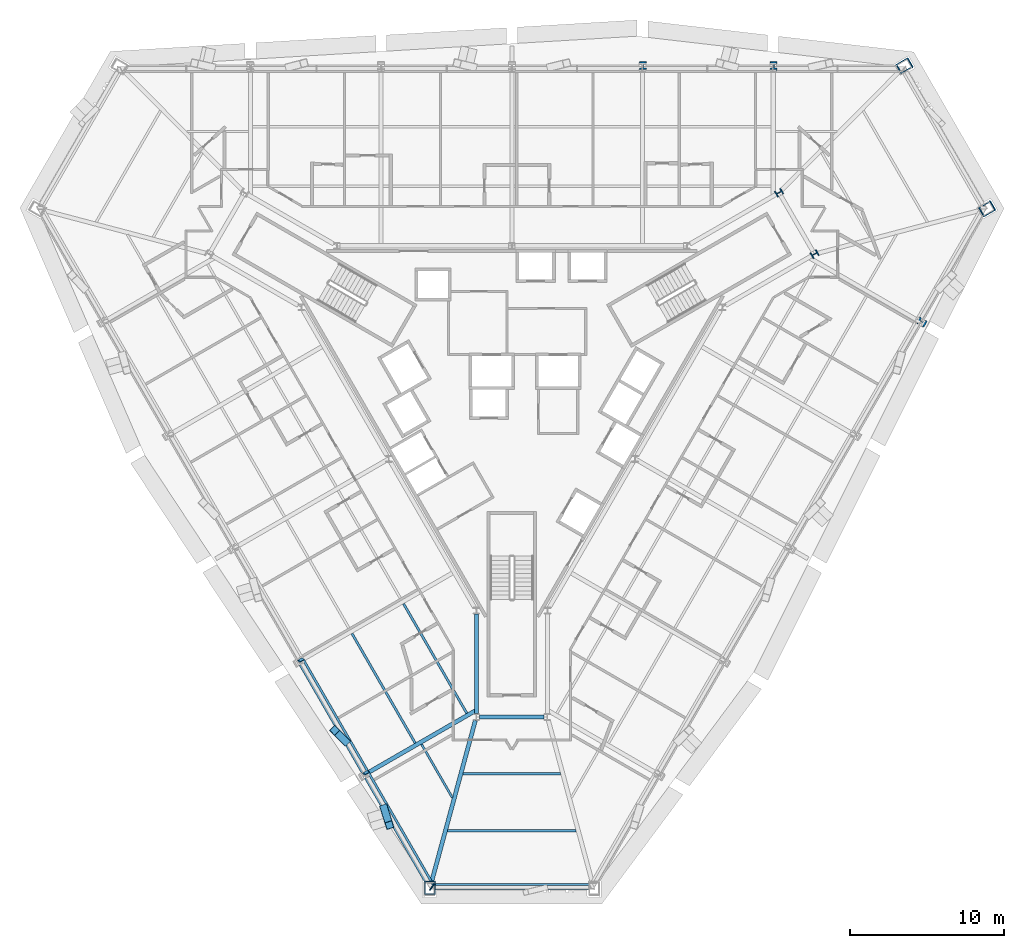
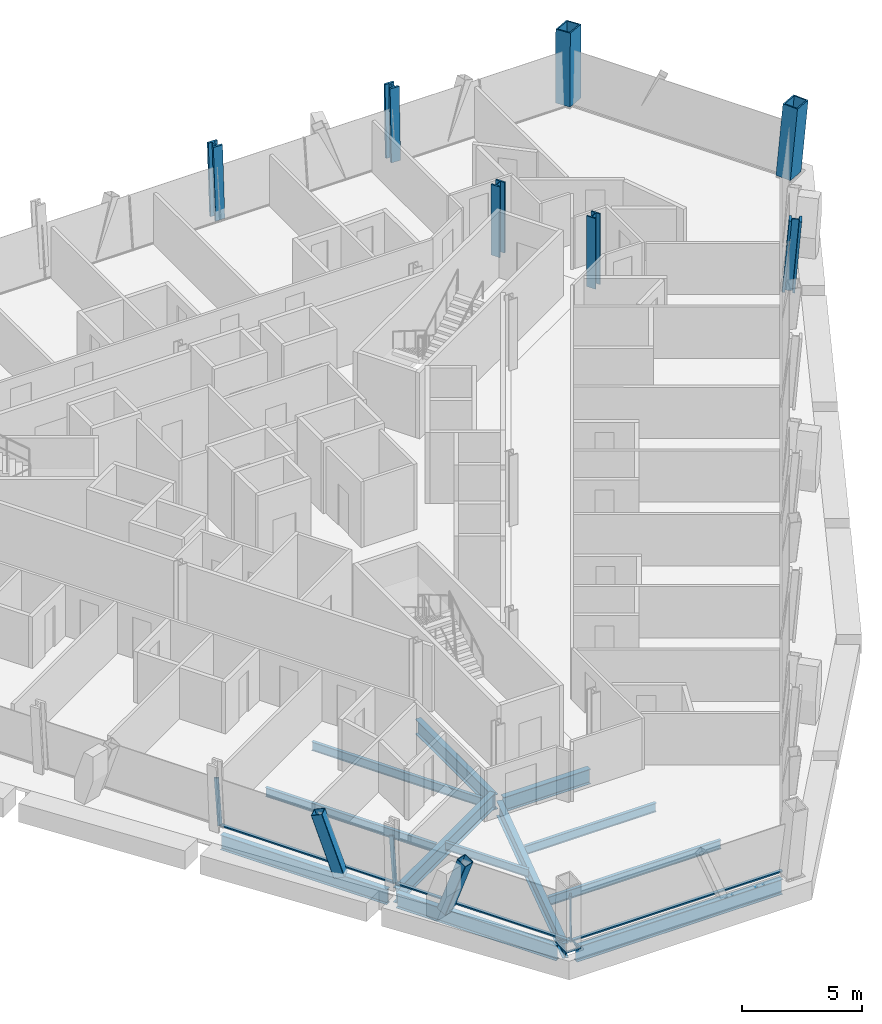
# One storey, part 2 of 15: 12 beams, 9 members, 7 columns, 2 elements without a shape of their own.
"""IFC4 building model written with IfcOpenShell, lengths in metres."""

from ifc_helpers import new_model, si_unit, direction, frame, origin, origin_2d, place, context, subcontext, project, spatial, rectangle, hollow_rectangle, i_section, extrude, material, material_profile, profile_set, type_object, element, aggregate, save


model = new_model("IFC4")

# Units and contexts
model_context = context("Model", 3, precision=1e-05, world=origin(), true_north=direction((0.0, 1.0)))
body_context = subcontext(model_context, "Body", "Model", "MODEL_VIEW")
ifc_project = project(units=[si_unit("LENGTHUNIT", "METRE"), si_unit("AREAUNIT", "SQUARE_METRE"), si_unit("VOLUMEUNIT", "CUBIC_METRE"), si_unit("PLANEANGLEUNIT", "RADIAN"), si_unit("MASSUNIT", "GRAM", prefix="KILO")], contexts=[model_context])

# Site, building, storey
site_placement = place(None, origin())
site = spatial("IfcSite", under=ifc_project, at=site_placement, CompositionType="ELEMENT")
building_placement = place(site_placement, origin())
building = spatial("IfcBuilding", under=site, at=building_placement, Name="Verrane Prism Tower", CompositionType="ELEMENT")
storey_placement = place(building_placement, frame((0.0, 0.0, 44.0)))
storey = spatial("IfcBuildingStorey", under=building, at=storey_placement, Name="L08", CompositionType="ELEMENT", Elevation=44.0)

# Columns
ifc_material_1 = material(Name="Steel A992", Category="steel")
ifc_material_profile_1 = material_profile(ifc_material_1, i_section(OverallWidth=0.419189453125, OverallDepth=0.45458984375, WebThickness=0.042236328125, FlangeThickness=0.067626953125, FilletRadius=0.01513671875, at=origin_2d()), Name="W14x370")
ifc_profile_set_1 = profile_set([ifc_material_profile_1], Name="Steel A992")
column_type_1 = type_object("IfcColumnType", Name="Core corner column W14x370", PredefinedType="COLUMN", material=ifc_profile_set_1)
for number, where, z_axis, x_axis, name in (
    (1, (19.60009765625, 8.659912109375, 0.0), (0.0, 0.0, 1.0), (0.5, -0.866025403784, 0.0), "Core corner column CK-NEm L08"),
    (2, (17.300048828125, 12.639892578125, 0.0), (0.0, 0.0, 1.0), (0.5, -0.866025403784, 0.0), "Core corner column CK-NEp L08"),
):
    element("IfcColumn", number, at=place(storey_placement, frame(where, z_axis=z_axis, x_axis=x_axis)), inside=storey, type_object=column_type_1, Name=name, PredefinedType="COLUMN", context=body_context, shape_type="SweptSolid", body=[
        extrude(i_section(OverallWidth=0.419189453125, OverallDepth=0.45458984375, WebThickness=0.042236328125, FlangeThickness=0.067626953125, FilletRadius=0.01513671875, at=origin_2d()), origin(), (0.0, 0.0, 1.0), 3.60009765625),
    ])
ifc_material_2 = material(Name="Steel A572 Grade 50", Category="steel")
ifc_material_profile_2 = material_profile(ifc_material_2, hollow_rectangle(XDim=0.699951171875, YDim=0.89990234375, WallThickness=0.06494140625, at=origin_2d()), Name="BOX 900x700x65")
ifc_profile_set_2 = profile_set([ifc_material_profile_2], Name="Steel A572 Grade 50")
column_type_2 = type_object("IfcColumnType", Name="Megacolumn BOX 900x700x65", PredefinedType="COLUMN", material=ifc_profile_set_2)
for number, where, z_axis, x_axis, name in (
    (3, (25.3720703125, 20.773193359375, 0.0400390625), (0.049772291919, 0.082976830634, 0.995307773774), (0.499550777014, -0.86500147592, 0.047132449981), "Megacolumn MC-NE.b L08"),
    (4, (30.673828125, 11.590087890625, 0.0400390625), (0.096783070485, 0.0, 0.995305499466), (0.49940885804, -0.865004332753, -0.048562298444), "Megacolumn MC-NE.a L08"),
):
    element("IfcColumn", number, at=place(storey_placement, frame(where, z_axis=z_axis, x_axis=x_axis)), inside=storey, type_object=column_type_2, Name=name, PredefinedType="COLUMN", context=body_context, shape_type="SweptSolid", body=[
        extrude(hollow_rectangle(XDim=0.699951171875, YDim=0.89990234375, WallThickness=0.06494140625, at=origin_2d()), origin(), (0.0, 0.0, 1.0), 3.53662109375),
    ])
ifc_material_3 = material(Name="Steel A992", Category="steel")
ifc_material_profile_3 = material_profile(ifc_material_3, i_section(OverallWidth=0.44189453125, OverallDepth=0.53076171875, WebThickness=0.06591796875, FlangeThickness=0.105712890625, FilletRadius=0.01513671875, at=origin_2d()), Name="W14x605")
ifc_profile_set_3 = profile_set([ifc_material_profile_3], Name="Steel A992")
column_type_3 = type_object("IfcColumnType", Name="Perimeter column W14x605", PredefinedType="COLUMN", material=ifc_profile_set_3)
column_1_placement = place(storey_placement, frame((16.9208984375, 20.772216796875, 0.02490234375), z_axis=(0.030414930255, 0.08295603725, 0.996088965857), x_axis=(0.999534085213, 2.6317342e-05, -0.030522316494)))
element("IfcColumn", 5, at=column_1_placement, inside=storey, type_object=column_type_3, Name="Perimeter column PC-N1 L08", PredefinedType="COLUMN", context=body_context, shape_type="SweptSolid", body=[
    extrude(i_section(OverallWidth=0.44189453125, OverallDepth=0.53076171875, WebThickness=0.06591796875, FlangeThickness=0.105712890625, FilletRadius=0.01513671875, at=origin_2d()), origin(), (0.0, 0.0, 1.0), 3.56396484375),
])
column_2_placement = place(storey_placement, frame((8.46044921875, 20.772216796875, 0.02490234375), z_axis=(0.016582899458, 0.082983021668, 0.996412979422), x_axis=(0.999861307838, 0.000158913268, -0.016653523173)))
element("IfcColumn", 6, at=column_2_placement, inside=storey, type_object=column_type_3, Name="Perimeter column PC-N2 L08", PredefinedType="COLUMN", context=body_context, shape_type="SweptSolid", body=[
    extrude(i_section(OverallWidth=0.44189453125, OverallDepth=0.53076171875, WebThickness=0.06591796875, FlangeThickness=0.105712890625, FilletRadius=0.01513671875, at=origin_2d()), origin(), (0.0, 0.0, 1.0), 3.562744140625),
])
column_3_placement = place(storey_placement, frame((26.4521484375, 4.269775390625, 0.02490234375), z_axis=(0.085775681498, -0.013907718326, 0.996217399885), x_axis=(-0.500475890564, -0.865194817097, 0.031013084871)))
element("IfcColumn", 7, at=column_3_placement, inside=storey, type_object=column_type_3, Name="Perimeter column PC-SE5 L08", PredefinedType="COLUMN", context=body_context, shape_type="SweptSolid", body=[
    extrude(i_section(OverallWidth=0.44189453125, OverallDepth=0.53076171875, WebThickness=0.06591796875, FlangeThickness=0.105712890625, FilletRadius=0.01513671875, at=origin_2d()), origin(), (0.0, 0.0, 1.0), 3.5634765625),
])

# Beams
ifc_material_4 = material(Name="Steel A992", Category="steel")
ifc_material_profile_4 = material_profile(ifc_material_4, i_section(OverallWidth=0.2666015625, OverallDepth=0.76708984375, WebThickness=0.014892578125, FlangeThickness=0.023681640625, FilletRadius=0.0166015625, at=origin_2d()), Name="W30x124")
ifc_profile_set_4 = profile_set([ifc_material_profile_4], Name="Steel A992")
beam_type_1 = type_object("IfcBeamType", Name="Chamfer spandrel beam W30x124", PredefinedType="SPANDREL", material=ifc_profile_set_4)
beam_1_placement = place(storey_placement, frame((-4.949951171875, -32.360107421875, -0.54345703125), z_axis=(1.0, 0.0, 0.0), x_axis=(0.0, 1.0, 0.0)))
element("IfcBeam", 8, at=beam_1_placement, inside=storey, type_object=beam_type_1, Name="Chamfer spandrel beam L08", PredefinedType="SPANDREL", context=body_context, shape_type="SweptSolid", body=[
    extrude(i_section(OverallWidth=0.2666015625, OverallDepth=0.76708984375, WebThickness=0.014892578125, FlangeThickness=0.023681640625, FilletRadius=0.0166015625, at=origin_2d()), origin(), (0.0, 0.0, 1.0), 9.89990234375),
])
ifc_material_5 = material(Name="Steel A992", Category="steel")
ifc_material_profile_5 = material_profile(ifc_material_5, i_section(OverallWidth=0.2666015625, OverallDepth=0.7568359375, WebThickness=0.013916015625, FlangeThickness=0.019287109375, FilletRadius=0.0166015625, at=origin_2d()), Name="W30x108")
ifc_profile_set_5 = profile_set([ifc_material_profile_5], Name="Steel A992")
beam_type_2 = type_object("IfcBeamType", Name="Core ring girder W30x108", PredefinedType="BEAM", material=ifc_profile_set_5)
beam_2_placement = place(storey_placement, frame((-2.300048828125, -14.62841796875, -0.62841796875), z_axis=(0.0, -1.0, 0.0), x_axis=(1.0, 0.0, 0.0)))
element("IfcBeam", 9, at=beam_2_placement, inside=storey, type_object=beam_type_2, Name="Core ring girder L08", PredefinedType="BEAM", context=body_context, shape_type="SweptSolid", body=[
    extrude(i_section(OverallWidth=0.2666015625, OverallDepth=0.7568359375, WebThickness=0.013916015625, FlangeThickness=0.019287109375, FilletRadius=0.0166015625, at=origin_2d()), origin(), (0.0, 0.0, 1.0), 6.4443359375),
])
beam_3_placement = place(storey_placement, frame((-2.09033203125, -21.300048828125, -0.62841796875), z_axis=(1.0, 0.0, 0.0), x_axis=(0.0, 1.0, 0.0)))
element("IfcBeam", 10, at=beam_3_placement, inside=storey, type_object=beam_type_2, Name="Core ring girder L08", PredefinedType="BEAM", context=body_context, shape_type="SweptSolid", body=[
    extrude(i_section(OverallWidth=0.2666015625, OverallDepth=0.7568359375, WebThickness=0.013916015625, FlangeThickness=0.019287109375, FilletRadius=0.0166015625, at=origin_2d()), origin(), (0.0, 0.0, 1.0), 4.1806640625),
])
ifc_material_6 = material(Name="Steel A992", Category="steel")
ifc_material_profile_6 = material_profile(ifc_material_6, i_section(OverallWidth=0.2666015625, OverallDepth=0.76708984375, WebThickness=0.014892578125, FlangeThickness=0.023681640625, FilletRadius=0.0166015625, at=origin_2d()), Name="W30x124")
ifc_profile_set_6 = profile_set([ifc_material_profile_6], Name="Steel A992")
beam_type_3 = type_object("IfcBeamType", Name="Corner girder W30x124", PredefinedType="BEAM", material=ifc_profile_set_6)
beam_4_placement = place(storey_placement, frame((-5.177978515625, -31.909912109375, -0.603515625), z_axis=(0.261780624044, 0.965127403442, 0.0), x_axis=(-0.965127403442, 0.261780624044, 0.0)))
element("IfcBeam", 11, at=beam_4_placement, inside=storey, type_object=beam_type_3, Name="Corner girder L08", PredefinedType="BEAM", context=body_context, shape_type="SweptSolid", body=[
    extrude(i_section(OverallWidth=0.2666015625, OverallDepth=0.76708984375, WebThickness=0.014892578125, FlangeThickness=0.023681640625, FilletRadius=0.0166015625, at=origin_2d()), origin(), (0.0, 0.0, 1.0), 10.7578125),
])

# Members
ifc_material_7 = material(Name="Steel A1085 Grade A", Category="steel")
ifc_material_profile_7 = material_profile(ifc_material_7, hollow_rectangle(XDim=0.508056640625, YDim=0.508056640625, WallThickness=0.025390625, InnerFilletRadius=0.0126953125, OuterFilletRadius=0.0380859375, at=origin_2d()), Name="HSS20x20x1")
ifc_profile_set_7 = profile_set([ifc_material_profile_7], Name="Steel A1085 Grade A")
member_type_1 = type_object("IfcMemberType", Name="Facade brace HSS20x20x1", PredefinedType="BRACE", material=ifc_profile_set_7)
member_1_placement = place(storey_placement, frame((-10.78515625, -22.864990234375, -0.24267578125), z_axis=(-0.217481194172, 0.219950817385, 0.950959288357), x_axis=(-0.71108758284, -0.703103441559, 0.0)))
element("IfcMember", 12, at=member_1_placement, inside=storey, type_object=member_type_1, Name="Facade brace SW4 L08", PredefinedType="BRACE", context=body_context, shape_type="SweptSolid", body=[
    extrude(hollow_rectangle(XDim=0.508056640625, YDim=0.508056640625, WallThickness=0.025390625, InnerFilletRadius=0.0126953125, OuterFilletRadius=0.0380859375, at=origin_2d()), origin(), (0.0, 0.0, 1.0), 3.163330078125),
])
member_2_placement = place(storey_placement, frame((-8.266845703125, -27.2255859375, -0.24267578125), z_axis=(0.105697907449, -0.336760215183, 0.935639091654), x_axis=(0.954107926193, 0.299462961276, 0.0)))
element("IfcMember", 13, at=member_2_placement, inside=storey, type_object=member_type_1, Name="Facade brace SW5 L08", PredefinedType="BRACE", context=body_context, shape_type="SweptSolid", body=[
    extrude(hollow_rectangle(XDim=0.508056640625, YDim=0.508056640625, WallThickness=0.025390625, InnerFilletRadius=0.0126953125, OuterFilletRadius=0.0380859375, at=origin_2d()), origin(), (0.0, 0.0, 1.0), 3.21533203125),
])

# Beams
ifc_material_8 = material(Name="Steel A992", Category="steel")
ifc_material_profile_8 = material_profile(ifc_material_8, i_section(OverallWidth=0.140380859375, OverallDepth=0.40380859375, WebThickness=0.007080078125, FlangeThickness=0.01123046875, FilletRadius=0.01025390625, at=origin_2d()), Name="W16x31")
ifc_profile_set_8 = profile_set([ifc_material_profile_8], Name="Steel A992")
beam_type_4 = type_object("IfcBeamType", Name="Floor beam W16x31", PredefinedType="BEAM", material=ifc_profile_set_8)
beam_5_placement = place(storey_placement, frame((-3.85498046875, -26.52294921875, -0.36181640625), z_axis=(-0.499985753801, 0.866033628675, 0.0), x_axis=(-0.866033628675, -0.499985753801, 0.0)))
element("IfcBeam", 14, at=beam_5_placement, inside=storey, type_object=beam_type_4, Name="Floor beam L08", PredefinedType="BEAM", context=body_context, shape_type="SweptSolid", body=[
    extrude(i_section(OverallWidth=0.140380859375, OverallDepth=0.40380859375, WebThickness=0.007080078125, FlangeThickness=0.01123046875, FilletRadius=0.01025390625, at=origin_2d()), origin(), (0.0, 0.0, 1.0), 3.986328125),
])
ifc_material_9 = material(Name="Steel A992", Category="steel")
ifc_material_profile_9 = material_profile(ifc_material_9, i_section(OverallWidth=0.15234375, OverallDepth=0.449462890625, WebThickness=0.007568359375, FlangeThickness=0.0107421875, FilletRadius=0.01025390625, at=origin_2d()), Name="W18x35")
ifc_profile_set_9 = profile_set([ifc_material_profile_9], Name="Steel A992")
beam_type_5 = type_object("IfcBeamType", Name="Floor beam W18x35", PredefinedType="BEAM", material=ifc_profile_set_9)
beam_6_placement = place(storey_placement, frame((-2.914306640625, -21.0703125, -0.384765625), z_axis=(-0.499989744381, 0.866031324788, 0.0), x_axis=(-0.866031324788, -0.499989744381, 0.0)))
element("IfcBeam", 15, at=beam_6_placement, inside=storey, type_object=beam_type_5, Name="Floor beam L08", PredefinedType="BEAM", context=body_context, shape_type="SweptSolid", body=[
    extrude(i_section(OverallWidth=0.15234375, OverallDepth=0.449462890625, WebThickness=0.007568359375, FlangeThickness=0.0107421875, FilletRadius=0.01025390625, at=origin_2d()), origin(), (0.0, 0.0, 1.0), 8.196533203125),
])
beam_7_placement = place(storey_placement, frame((-6.255615234375, -22.997314453125, -0.384765625), z_axis=(-0.499980301665, 0.866036776325, 0.0), x_axis=(-0.866036776325, -0.499980301665, 0.0)))
element("IfcBeam", 16, at=beam_7_placement, inside=storey, type_object=beam_type_5, Name="Floor beam L08", PredefinedType="BEAM", context=body_context, shape_type="SweptSolid", body=[
    extrude(i_section(OverallWidth=0.15234375, OverallDepth=0.449462890625, WebThickness=0.007568359375, FlangeThickness=0.0107421875, FilletRadius=0.01025390625, at=origin_2d()), origin(), (0.0, 0.0, 1.0), 8.196044921875),
])
beam_8_placement = place(storey_placement, frame((-4.16162109375, -28.67333984375, -0.384765625), z_axis=(1.0, 0.0, 0.0), x_axis=(0.0, 1.0, 0.0)))
element("IfcBeam", 17, at=beam_8_placement, inside=storey, type_object=beam_type_5, Name="Floor beam L08", PredefinedType="BEAM", context=body_context, shape_type="SweptSolid", body=[
    extrude(i_section(OverallWidth=0.15234375, OverallDepth=0.449462890625, WebThickness=0.007568359375, FlangeThickness=0.0107421875, FilletRadius=0.01025390625, at=origin_2d()), origin(), (0.0, 0.0, 1.0), 8.3232421875),
])
beam_9_placement = place(storey_placement, frame((-3.16162109375, -24.98681640625, -0.384765625), z_axis=(1.0, 0.0, 0.0), x_axis=(0.0, 1.0, 0.0)))
element("IfcBeam", 18, at=beam_9_placement, inside=storey, type_object=beam_type_5, Name="Floor beam L08", PredefinedType="BEAM", context=body_context, shape_type="SweptSolid", body=[
    extrude(i_section(OverallWidth=0.15234375, OverallDepth=0.449462890625, WebThickness=0.007568359375, FlangeThickness=0.0107421875, FilletRadius=0.01025390625, at=origin_2d()), origin(), (0.0, 0.0, 1.0), 6.3232421875),
])

# Member
ifc_material_10 = material(Name="Steel A572 Grade 50", Category="steel")
ifc_material_profile_10 = material_profile(ifc_material_10, hollow_rectangle(XDim=0.699951171875, YDim=0.89990234375, WallThickness=0.06494140625, at=origin_2d()), Name="BOX 900x700x65")
ifc_profile_set_10 = profile_set([ifc_material_profile_10], Name="Steel A572 Grade 50")
member_type_2 = type_object("IfcMemberType", Name="Kink node BOX 900x700x65", PredefinedType="COLLAR", material=ifc_profile_set_10)
member_3_placement = place(storey_placement, frame((-5.301025390625, -32.361572265625, -0.0400390625), z_axis=(0.0, 0.0, 1.0), x_axis=(-1.0, 0.0, 0.0)))
element("IfcMember", 19, at=member_3_placement, inside=storey, type_object=member_type_2, Name="Kink node MC3 L08", PredefinedType="COLLAR", context=body_context, shape_type="SweptSolid", body=[
    extrude(hollow_rectangle(XDim=0.699951171875, YDim=0.89990234375, WallThickness=0.06494140625, at=origin_2d()), origin(), (0.0, 0.0, 1.0), 0.080078125),
])

# Curtain wall, members
ifc_material_11 = material(Name="Aluminium framed insulated glazing", Category="aluminium")
curtain_wall_type = type_object("IfcCurtainWallType", Name="Curtain wall CW-A 8400 module", PredefinedType="NOTDEFINED", material=ifc_material_11)
curtain_wall_1_placement = place(storey_placement, origin())
curtain_wall_1 = element("IfcCurtainWall", 20, at=curtain_wall_1_placement, inside=storey, type_object=curtain_wall_type, Name="Glazed curtain wall south-west face L08", PredefinedType="NOTDEFINED")
ifc_material_12 = material(Name="Aluminium alloy 6063-T6", Category="aluminium")
ifc_material_profile_11 = material_profile(ifc_material_12, rectangle(XDim=0.199951171875, YDim=0.070068359375, at=origin_2d()), Name="Mullion 70x200 aluminium")
ifc_profile_set_11 = profile_set([ifc_material_profile_11], Name="Aluminium alloy 6063-T6")
member_type_3 = type_object("IfcMemberType", Name="Mullion 70x200 aluminium", PredefinedType="MULLION", material=ifc_profile_set_11)
member_4_placement = place(storey_placement, frame((-13.52880859375, -17.54931640625, 0.0), z_axis=(-0.098771561601, -0.057090705249, 0.99347110174), x_axis=(0.863445683103, -0.501206298357, 0.057042079362)))
member_4 = element("IfcMember", 21, at=member_4_placement, type_object=member_type_3, Name="CW06.4 mullion 5", PredefinedType="MULLION", context=body_context, shape_type="SweptSolid", body=[
    extrude(rectangle(XDim=0.199951171875, YDim=0.070068359375, at=origin_2d()), origin(), (0.0, 0.0, 1.0), 2.6298828125),
])
member_5_placement = place(storey_placement, frame((-9.311767578125, -24.853271484375, 0.0), z_axis=(-0.098771561601, -0.057090705249, 0.99347110174), x_axis=(0.863445683103, -0.501206298357, 0.057042079362)))
member_5 = element("IfcMember", 22, at=member_5_placement, type_object=member_type_3, Name="CW06.4 mullion 6", PredefinedType="MULLION", context=body_context, shape_type="SweptSolid", body=[
    extrude(rectangle(XDim=0.199951171875, YDim=0.070068359375, at=origin_2d()), origin(), (0.0, 0.0, 1.0), 2.6298828125),
])

# Curtain wall, member
curtain_wall_2_placement = place(storey_placement, origin())
curtain_wall_2 = element("IfcCurtainWall", 23, at=curtain_wall_2_placement, inside=storey, type_object=curtain_wall_type, Name="Glazed curtain wall south corner L08", PredefinedType="NOTDEFINED")
member_6_placement = place(storey_placement, frame((-5.059814453125, -32.1572265625, 0.0), z_axis=(-0.078843589483, -0.113916031283, 0.990356918598), x_axis=(0.56361783851, 0.814335163387, 0.138539430437)))
member_6 = element("IfcMember", 24, at=member_6_placement, type_object=member_type_3, Name="CW06.5 mullion 1", PredefinedType="MULLION", context=body_context, shape_type="SweptSolid", body=[
    extrude(rectangle(XDim=0.199951171875, YDim=0.070068359375, at=origin_2d()), origin(), (0.0, 0.0, 1.0), 2.63818359375),
])

# Beams
ifc_material_13 = material(Name="Steel A992", Category="steel")
ifc_material_profile_12 = material_profile(ifc_material_13, i_section(OverallWidth=0.2666015625, OverallDepth=0.76708984375, WebThickness=0.014892578125, FlangeThickness=0.023681640625, FilletRadius=0.0166015625, at=origin_2d()), Name="W30x124")
ifc_profile_set_12 = profile_set([ifc_material_profile_12], Name="Steel A992")
beam_type_6 = type_object("IfcBeamType", Name="Radial girder W30x124", PredefinedType="BEAM", material=ifc_profile_set_12)
beam_10_placement = place(storey_placement, frame((-9.300048828125, -24.9072265625, -0.603515625), z_axis=(0.866022616891, 0.50000482701, 0.0), x_axis=(-0.50000482701, 0.866022616891, 0.0)))
element("IfcBeam", 25, at=beam_10_placement, inside=storey, type_object=beam_type_6, Name="Radial girder L08", PredefinedType="BEAM", context=body_context, shape_type="SweptSolid", body=[
    extrude(i_section(OverallWidth=0.2666015625, OverallDepth=0.76708984375, WebThickness=0.014892578125, FlangeThickness=0.023681640625, FilletRadius=0.0166015625, at=origin_2d()), origin(), (0.0, 0.0, 1.0), 8.0830078125),
])
ifc_material_14 = material(Name="Steel A992", Category="steel")
ifc_material_profile_13 = material_profile(ifc_material_14, i_section(OverallWidth=0.2666015625, OverallDepth=0.7568359375, WebThickness=0.013916015625, FlangeThickness=0.019287109375, FilletRadius=0.0166015625, at=origin_2d()), Name="W30x108")
ifc_profile_set_13 = profile_set([ifc_material_profile_13], Name="Steel A992")
beam_type_7 = type_object("IfcBeamType", Name="Spandrel beam W30x108", PredefinedType="SPANDREL", material=ifc_profile_set_13)
beam_11_placement = place(storey_placement, frame((-13.6494140625, -17.9013671875, -0.53857421875), z_axis=(0.499815553799, -0.866131867663, 0.0), x_axis=(0.866131867663, 0.499815553799, 0.0)))
element("IfcBeam", 26, at=beam_11_placement, inside=storey, type_object=beam_type_7, Name="Spandrel beam L08", PredefinedType="SPANDREL", context=body_context, shape_type="SweptSolid", body=[
    extrude(i_section(OverallWidth=0.2666015625, OverallDepth=0.7568359375, WebThickness=0.013916015625, FlangeThickness=0.019287109375, FilletRadius=0.0166015625, at=origin_2d()), origin(), (0.0, 0.0, 1.0), 8.02099609375),
])
beam_12_placement = place(storey_placement, frame((-9.41943359375, -25.231201171875, -0.53857421875), z_axis=(0.500332437573, -0.865833385769, 0.0), x_axis=(0.865833385769, 0.500332437573, 0.0)))
element("IfcBeam", 27, at=beam_12_placement, inside=storey, type_object=beam_type_7, Name="Spandrel beam L08", PredefinedType="SPANDREL", context=body_context, shape_type="SweptSolid", body=[
    extrude(i_section(OverallWidth=0.2666015625, OverallDepth=0.7568359375, WebThickness=0.013916015625, FlangeThickness=0.019287109375, FilletRadius=0.0166015625, at=origin_2d()), origin(), (0.0, 0.0, 1.0), 7.713623046875),
])

# Member
ifc_material_15 = material(Name="Aluminium alloy 6063-T6", Category="aluminium")
ifc_material_profile_14 = material_profile(ifc_material_15, rectangle(XDim=0.14990234375, YDim=0.070068359375, at=origin_2d()), Name="Transom 70x150 aluminium")
ifc_profile_set_14 = profile_set([ifc_material_profile_14], Name="Aluminium alloy 6063-T6")
member_type_4 = type_object("IfcMemberType", Name="Transom 70x150 aluminium", PredefinedType="USERDEFINED", material=ifc_profile_set_14)
member_7_placement = place(storey_placement, frame((-13.51123046875, -17.579833984375, 0.034912109375), z_axis=(0.500003770246, -0.866023227021, 0.0), x_axis=(0.866023227021, 0.500003770246, 0.0)))
member_7 = element("IfcMember", 28, at=member_7_placement, type_object=member_type_4, Name="CW06.4 transom 5", ObjectType="TRANSOM", PredefinedType="USERDEFINED", context=body_context, shape_type="SweptSolid", body=[
    extrude(rectangle(XDim=0.14990234375, YDim=0.070068359375, at=origin_2d()), origin(), (0.0, 0.0, 1.0), 8.36376953125),
])

member_8_placement = place(storey_placement, frame((-9.29443359375, -24.8837890625, 0.034912109375), z_axis=(0.500012661892, -0.866018093314, 0.0), x_axis=(0.866018093314, 0.500012661892, 0.0)))
member_8 = element("IfcMember", 29, at=member_8_placement, type_object=member_type_4, Name="CW06.4 transom 6", ObjectType="TRANSOM", PredefinedType="USERDEFINED", context=body_context, shape_type="SweptSolid", body=[
    extrude(rectangle(XDim=0.14990234375, YDim=0.070068359375, at=origin_2d()), origin(), (0.0, 0.0, 1.0), 8.398681640625),
])

aggregate(curtain_wall_1, [member_4, member_5, member_7, member_8])

member_9_placement = place(storey_placement, frame((-5.02490234375, -32.1572265625, 0.034912109375), z_axis=(1.0, 0.0, 0.0), x_axis=(0.0, 1.0, 0.0)))
member_9 = element("IfcMember", 30, at=member_9_placement, type_object=member_type_4, Name="CW06.5 transom 1", ObjectType="TRANSOM", PredefinedType="USERDEFINED", context=body_context, shape_type="SweptSolid", body=[
    extrude(rectangle(XDim=0.14990234375, YDim=0.070068359375, at=origin_2d()), origin(), (0.0, 0.0, 1.0), 10.119873046875),
])

aggregate(curtain_wall_2, [member_6, member_9])

save(model, "model.ifc")
